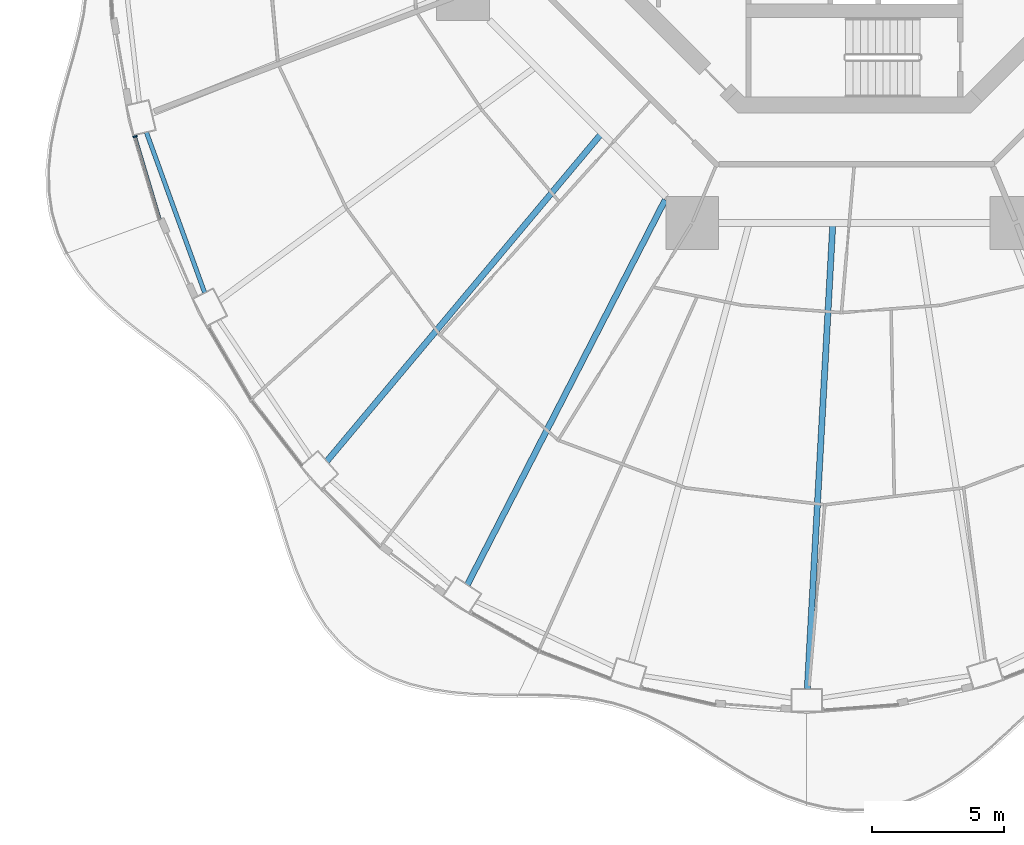
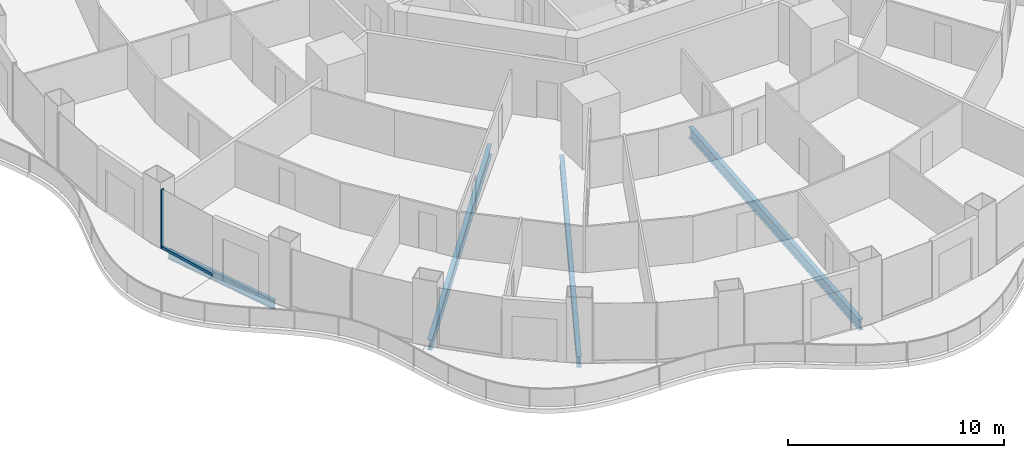
# One storey, part 3 of 21: 4 beams, 2 members, 1 element without a shape of its own.
"""IFC4 building model written with IfcOpenShell, lengths in metres."""

from ifc_helpers import new_model, si_unit, direction, frame, origin, origin_2d, place, context, subcontext, project, spatial, rectangle, i_section, extrude, material, layer, layer_set, material_profile, profile_set, type_object, element, aggregate, save


model = new_model("IFC4")

# Units and contexts
model_context = context("Model", 3, precision=1e-05, world=origin(), true_north=direction((0.0, 1.0)))
body_context = subcontext(model_context, "Body", "Model", "MODEL_VIEW")
ifc_project = project(units=[si_unit("LENGTHUNIT", "METRE"), si_unit("AREAUNIT", "SQUARE_METRE"), si_unit("VOLUMEUNIT", "CUBIC_METRE"), si_unit("PLANEANGLEUNIT", "RADIAN"), si_unit("MASSUNIT", "GRAM", prefix="KILO")], contexts=[model_context])

# Site, building, storey
site_placement = place(None, origin())
site = spatial("IfcSite", under=ifc_project, at=site_placement, CompositionType="ELEMENT")
building_placement = place(site_placement, origin())
building = spatial("IfcBuilding", under=site, at=building_placement, Name="Nagisa Residences", CompositionType="ELEMENT")
storey_placement = place(building_placement, frame((0.0, 0.0, 156.60009765625)))
storey = spatial("IfcBuildingStorey", under=building, at=storey_placement, Name="L39", CompositionType="ELEMENT", Elevation=156.60009765625)

# Curtain wall, members
ifc_material_1 = material(Name="Concrete-coloured aluminium curtain wall system", Category="concrete")
ifc_layer = layer(ifc_material_1, 0.159912109375)
ifc_layer_set = layer_set([ifc_layer], Name="CW1 CURTAIN WALL")
curtain_wall_type = type_object("IfcCurtainWallType", Name="CW1 CURTAIN WALL", PredefinedType="NOTDEFINED", material=ifc_layer_set)
curtain_wall_placement = place(storey_placement, origin())
curtain_wall = element("IfcCurtainWall", 1, at=curtain_wall_placement, inside=storey, type_object=curtain_wall_type, Name="cw:CW1:L39:26", PredefinedType="NOTDEFINED")
ifc_material_2 = material(Name="Concrete-coloured aluminium", Category="concrete")
ifc_material_profile_1 = material_profile(ifc_material_2, rectangle(XDim=0.159912109375, YDim=0.06005859375, at=origin_2d()), Name="CW1 MULLION 160x60")
ifc_profile_set_1 = profile_set([ifc_material_profile_1], Name="Concrete-coloured aluminium")
member_type_1 = type_object("IfcMemberType", Name="CW1 MULLION 160x60", PredefinedType="MULLION", material=ifc_profile_set_1)
member_1_placement = place(storey_placement, frame((-27.174072265625, -11.513671875, 0.0), z_axis=(0.0, 0.0, 1.0), x_axis=(0.958271310082, 0.285860274038, 0.0)))
member_1 = element("IfcMember", 2, at=member_1_placement, type_object=member_type_1, Name="CW1 mullion", PredefinedType="MULLION", context=body_context, shape_type="SweptSolid", body=[
    extrude(rectangle(XDim=0.159912109375, YDim=0.06005859375, at=origin_2d()), origin(), (0.0, 0.0, 1.0), 3.349853515625),
])
ifc_material_3 = material(Name="Concrete-coloured aluminium", Category="concrete")
ifc_material_profile_2 = material_profile(ifc_material_3, rectangle(XDim=0.1201171875, YDim=0.14990234375, at=origin_2d()), Name="CW1 TRANSOM 120x150")
ifc_profile_set_2 = profile_set([ifc_material_profile_2], Name="Concrete-coloured aluminium")
member_type_2 = type_object("IfcMemberType", Name="CW1 TRANSOM 120x150", PredefinedType="USERDEFINED", material=ifc_profile_set_2)
member_2_placement = place(storey_placement, frame((-27.1826171875, -11.48486328125, 0.074951171875), z_axis=(0.285842038783, -0.958276749621, 0.0), x_axis=(0.958276749621, 0.285842038783, 0.0)))
member_2 = element("IfcMember", 3, at=member_2_placement, type_object=member_type_2, Name="CW1 transom", ObjectType="TRANSOM", PredefinedType="USERDEFINED", context=body_context, shape_type="SweptSolid", body=[
    extrude(rectangle(XDim=0.1201171875, YDim=0.14990234375, at=origin_2d()), origin(), (0.0, 0.0, 1.0), 3.302734375),
])
aggregate(curtain_wall, [member_1, member_2])

# Beams
ifc_material_4 = material(Name="Steel ASTM A572 Gr 50", Category="steel")
ifc_material_profile_3 = material_profile(ifc_material_4, i_section(OverallWidth=0.166015625, OverallDepth=0.534912109375, WebThickness=0.01025390625, FlangeThickness=0.0166015625, at=origin_2d()), Name="W530x85")
ifc_profile_set_3 = profile_set([ifc_material_profile_3], Name="Steel ASTM A572 Gr 50")
beam_type_1 = type_object("IfcBeamType", Name="Perimeter ring beam W530x85", PredefinedType="BEAM", material=ifc_profile_set_3)
beam_1_placement = place(storey_placement, frame((-26.74853515625, -11.352294921875, -0.527587890625), z_axis=(0.341366238276, -0.939930365168, 0.0), x_axis=(0.939930365168, 0.341366238276, 0.0)))
element("IfcBeam", 4, at=beam_1_placement, inside=storey, type_object=beam_type_1, Name="beam:L39:pb14", PredefinedType="BEAM", context=body_context, shape_type="SweptSolid", body=[
    extrude(i_section(OverallWidth=0.166015625, OverallDepth=0.534912109375, WebThickness=0.01025390625, FlangeThickness=0.0166015625, at=origin_2d()), origin(), (0.0, 0.0, 1.0), 6.450927734375),
])
ifc_material_5 = material(Name="Steel ASTM A572 Gr 50", Category="steel")
ifc_material_profile_4 = material_profile(ifc_material_5, i_section(OverallWidth=0.22900390625, OverallDepth=0.612060546875, WebThickness=0.011962890625, FlangeThickness=0.01953125, at=origin_2d()), Name="W610x125")
ifc_profile_set_4 = profile_set([ifc_material_profile_4], Name="Steel ASTM A572 Gr 50")
beam_type_2 = type_object("IfcBeamType", Name="Radial beam W610x125", PredefinedType="BEAM", material=ifc_profile_set_4)
beam_2_placement = place(storey_placement, frame((-19.929931640625, -23.78173828125, -0.566162109375), z_axis=(0.642300860107, 0.766452611128, 0.0), x_axis=(-0.766452611128, 0.642300860107, 0.0)))
element("IfcBeam", 5, at=beam_2_placement, inside=storey, type_object=beam_type_2, Name="beam:L39:rb16", PredefinedType="BEAM", context=body_context, shape_type="SweptSolid", body=[
    extrude(i_section(OverallWidth=0.22900390625, OverallDepth=0.612060546875, WebThickness=0.011962890625, FlangeThickness=0.01953125, at=origin_2d()), origin(), (0.0, 0.0, 1.0), 16.081787109375),
])
beam_3_placement = place(storey_placement, frame((-14.619873046875, -28.449462890625, -0.566162109375), z_axis=(0.457072968779, 0.889429199662, 0.0), x_axis=(-0.889429199662, 0.457072968779, 0.0)))
element("IfcBeam", 6, at=beam_3_placement, inside=storey, type_object=beam_type_2, Name="beam:L39:rb17", PredefinedType="BEAM", context=body_context, shape_type="SweptSolid", body=[
    extrude(i_section(OverallWidth=0.22900390625, OverallDepth=0.612060546875, WebThickness=0.011962890625, FlangeThickness=0.01953125, at=origin_2d()), origin(), (0.0, 0.0, 1.0), 16.347412109375),
])
beam_4_placement = place(storey_placement, frame((-1.7763671875, -32.382568359375, -0.566162109375), z_axis=(0.054779249477, 0.998498489647, 0.0), x_axis=(-0.998498489647, 0.054779249477, 0.0)))
element("IfcBeam", 7, at=beam_4_placement, inside=storey, type_object=beam_type_2, Name="beam:L39:rb19", PredefinedType="BEAM", context=body_context, shape_type="SweptSolid", body=[
    extrude(i_section(OverallWidth=0.22900390625, OverallDepth=0.612060546875, WebThickness=0.011962890625, FlangeThickness=0.01953125, at=origin_2d()), origin(), (0.0, 0.0, 1.0), 17.519775390625),
])

save(model, "model.ifc")
